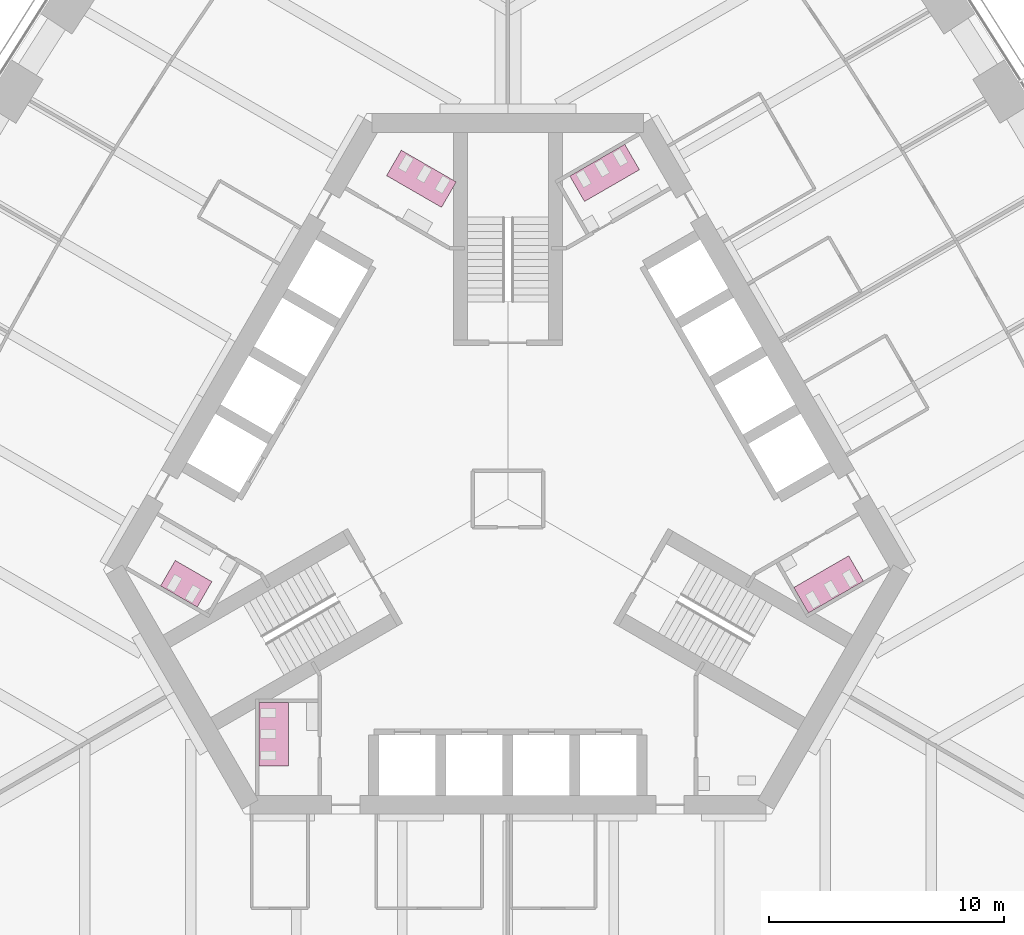
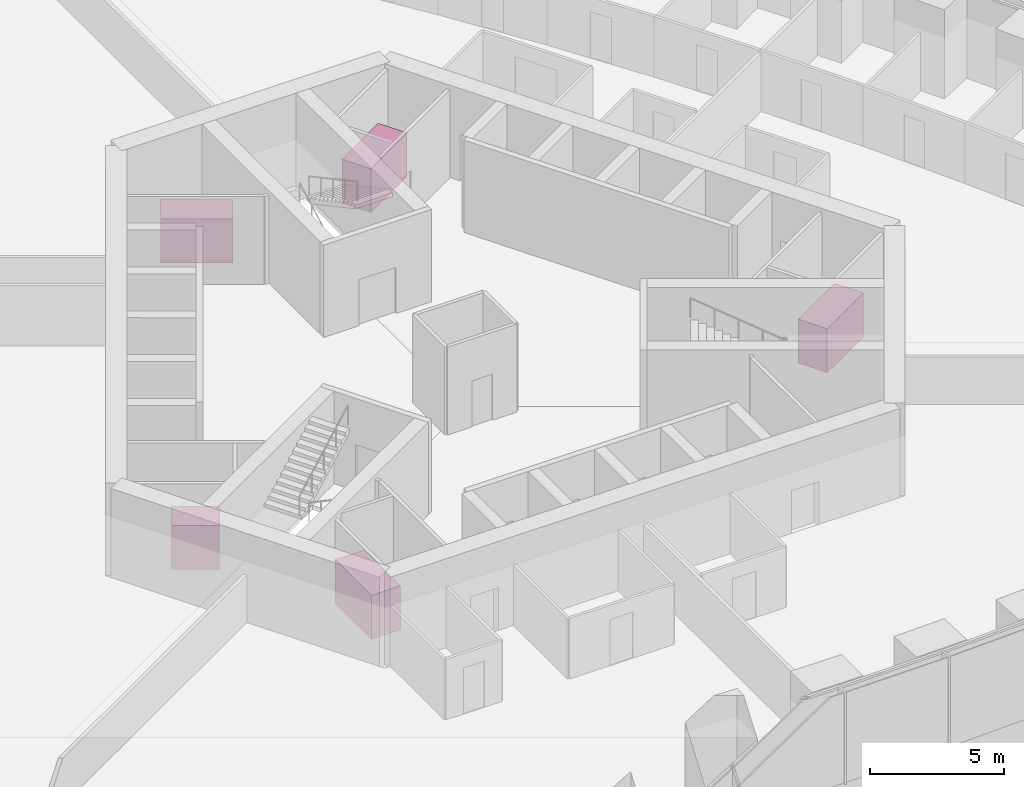
# One storey, part 19 of 19: 5 furniture elements.
"""IFC4 building model written with IfcOpenShell, lengths in metres."""

from ifc_helpers import new_model, si_unit, direction, frame, origin, place, context, subcontext, project, spatial, polyline, outline, extrude, material, type_object, element, save


model = new_model("IFC4")

# Units and contexts
model_context = context("Model", 3, precision=1e-05, world=origin(), true_north=direction((0.0, 1.0)))
body_context = subcontext(model_context, "Body", "Model", "MODEL_VIEW")
ifc_project = project(units=[si_unit("LENGTHUNIT", "METRE"), si_unit("AREAUNIT", "SQUARE_METRE"), si_unit("VOLUMEUNIT", "CUBIC_METRE"), si_unit("PLANEANGLEUNIT", "RADIAN"), si_unit("MASSUNIT", "GRAM", prefix="KILO")], contexts=[model_context])

# Site, building, storey
site_placement = place(None, origin())
site = spatial("IfcSite", under=ifc_project, at=site_placement, CompositionType="ELEMENT")
building_placement = place(site_placement, origin())
building = spatial("IfcBuilding", under=site, at=building_placement, Name="Trefoil Bronze Tower", CompositionType="ELEMENT")
storey_placement = place(building_placement, frame((0.0, 0.0, 79.5)))
storey = spatial("IfcBuildingStorey", under=building, at=storey_placement, Name="L18", CompositionType="ELEMENT", Elevation=79.5)

# Furniture
ifc_material_1 = material(Name="Compact laminate cubicles", Category="plastic")
furniture_type_1 = type_object("IfcFurnitureType", Name="WC cubicle range 2 cubicles", AssemblyPlace="FACTORY", PredefinedType="USERDEFINED", material=ifc_material_1)
furniture_1_placement = place(storey_placement, origin())
element("IfcFurniture", 1, at=furniture_1_placement, inside=storey, type_object=furniture_type_1, Name="WC cubicle range WC (men) L18", ObjectType="WC cubicle range", PredefinedType="USERDEFINED", context=body_context, shape_type="SweptSolid", body=[
    extrude(outline(polyline([(-12.591552734375, -3.50927734375), (-13.216552734375, -4.591796875), (-14.775390625, -3.69189453125), (-14.150390625, -2.609375), (-12.591552734375, -3.50927734375)])), origin(), (0.0, 0.0, 1.0), 2.0),
])
ifc_material_2 = material(Name="Compact laminate cubicles", Category="plastic")
furniture_type_2 = type_object("IfcFurnitureType", Name="WC cubicle range 3 cubicles", AssemblyPlace="FACTORY", PredefinedType="USERDEFINED", material=ifc_material_2)
furniture_2_placement = place(storey_placement, origin())
element("IfcFurniture", 2, at=furniture_2_placement, inside=storey, type_object=furniture_type_2, Name="WC cubicle range WC (women) L18", ObjectType="WC cubicle range", PredefinedType="USERDEFINED", context=body_context, shape_type="SweptSolid", body=[
    extrude(outline(polyline([(12.15869140625, -3.75927734375), (12.78369140625, -4.841796875), (15.121826171875, -3.491943359375), (14.496826171875, -2.409423828125), (12.15869140625, -3.75927734375)])), origin(), (0.0, 0.0, 1.0), 2.0),
])
furniture_3_placement = place(storey_placement, origin())
element("IfcFurniture", 3, at=furniture_3_placement, inside=storey, type_object=furniture_type_2, Name="WC cubicle range WC (men) L18", ObjectType="WC cubicle range", PredefinedType="USERDEFINED", context=body_context, shape_type="SweptSolid", body=[
    extrude(outline(polyline([(3.256591796875, 12.659423828125), (2.631591796875, 13.741943359375), (4.969970703125, 15.091796875), (5.594970703125, 14.00927734375), (3.256591796875, 12.659423828125)])), origin(), (0.0, 0.0, 1.0), 2.0),
])
furniture_4_placement = place(storey_placement, origin())
element("IfcFurniture", 4, at=furniture_4_placement, inside=storey, type_object=furniture_type_2, Name="WC cubicle range WC (women) L18", ObjectType="WC cubicle range", PredefinedType="USERDEFINED", context=body_context, shape_type="SweptSolid", body=[
    extrude(outline(polyline([(-2.82373046875, 12.409423828125), (-2.19873046875, 13.491943359375), (-4.536865234375, 14.841796875), (-5.161865234375, 13.75927734375), (-2.82373046875, 12.409423828125)])), origin(), (0.0, 0.0, 1.0), 2.0),
])
furniture_5_placement = place(storey_placement, origin())
element("IfcFurniture", 5, at=furniture_5_placement, inside=storey, type_object=furniture_type_2, Name="WC cubicle range WC (women) L18", ObjectType="WC cubicle range", PredefinedType="USERDEFINED", context=body_context, shape_type="SweptSolid", body=[
    extrude(outline(polyline([(-9.3349609375, -8.64990234375), (-10.5849609375, -8.64990234375), (-10.5849609375, -11.35009765625), (-9.3349609375, -11.35009765625), (-9.3349609375, -8.64990234375)])), origin(), (0.0, 0.0, 1.0), 2.0),
])

save(model, "model.ifc")
